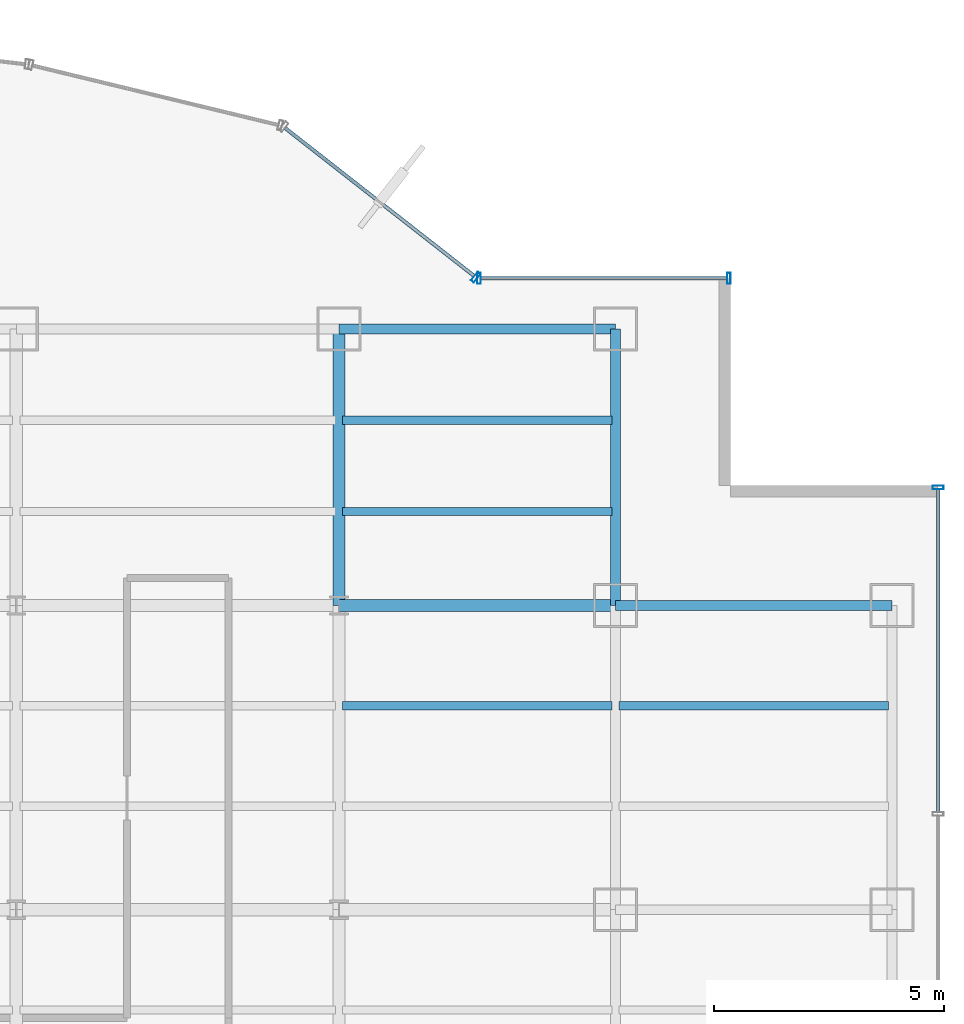
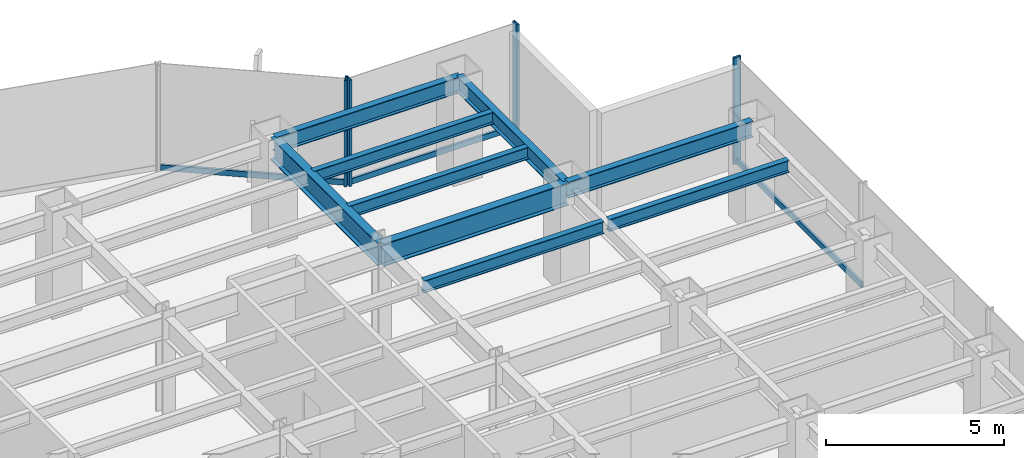
# One storey, part 16 of 23: 9 beams, 7 members, 3 elements without a shape of their own.
"""IFC4 building model written with IfcOpenShell, lengths in metres."""

from ifc_helpers import new_model, si_unit, derived_unit, direction, frame, origin, origin_2d, place, context, subcontext, project, spatial, hollow_rectangle, i_section, extrude, source, transform, mapped, material, material_profile, profile_set, type_object, element, aggregate, save


model = new_model("IFC4")

# Units and contexts
model_context = context("Model", 3, precision=1e-05, world=origin(), true_north=direction((0.0, 1.0)))
body_context = subcontext(model_context, "Body", "Model", "MODEL_VIEW")
ifc_project = project(units=[si_unit("LENGTHUNIT", "METRE"), si_unit("AREAUNIT", "SQUARE_METRE"), si_unit("VOLUMEUNIT", "CUBIC_METRE"), si_unit("PLANEANGLEUNIT", "RADIAN"), si_unit("MASSUNIT", "GRAM", prefix="KILO"), derived_unit("THERMALTRANSMITTANCEUNIT", [(si_unit("POWERUNIT", "WATT"), 1), (si_unit("LENGTHUNIT", "METRE"), -2), (si_unit("THERMODYNAMICTEMPERATUREUNIT", "KELVIN"), -1)])], contexts=[model_context])

# Site, building, storey
site_placement = place(None, origin())
site = spatial("IfcSite", under=ifc_project, at=site_placement, CompositionType="ELEMENT")
building_placement = place(site_placement, origin())
building = spatial("IfcBuilding", under=site, at=building_placement, Name="Skarnbrae Concourse Arena and Tower", CompositionType="ELEMENT")
storey_placement = place(building_placement, frame((0.0, 0.0, 50.75)))
storey = spatial("IfcBuildingStorey", under=building, at=storey_placement, Name="L11", CompositionType="ELEMENT", Elevation=50.75)

# Beams
ifc_material_1 = material(Name="Steel CSA G40.21 350W", Category="steel")
ifc_material_profile_1 = material_profile(ifc_material_1, i_section(OverallWidth=0.214111328125, OverallDepth=0.549072265625, WebThickness=0.0146484375, FlangeThickness=0.023681640625, at=origin_2d()), Name="W530X138")
ifc_profile_set_1 = profile_set([ifc_material_profile_1], Name="Steel CSA G40.21 350W")
beam_type_1 = type_object("IfcBeamType", Name="BM-SPAN-W530X138", PredefinedType="SPANDREL", material=ifc_profile_set_1)
shared_shape_1 = source(origin(), body_context, "Body", "SweptSolid", [
    extrude(i_section(OverallWidth=0.214111328125, OverallDepth=0.549072265625, WebThickness=0.0146484375, FlangeThickness=0.023681640625, at=origin_2d()), origin(), (0.0, 0.0, 1.0), 6.0),
])
for number, where, z_axis, x_axis, name in (
    (1, (55.0, 34.39990234375, 3.12548828125), (1.0, 0.0, 0.0), (0.0, 1.0, 0.0), "L11 Perimeter spandrel Y34.4-9"),
    (2, (49.0, 40.39990234375, 3.12548828125), (1.0, 0.0, 0.0), (0.0, 1.0, 0.0), "L11 Perimeter spandrel Y40.4-7"),
    (3, (55.0, 34.39990234375, 3.12548828125), (0.0, 1.0, 0.0), (-1.0, 0.0, 0.0), "L11 Perimeter spandrel X55.0-5"),
):
    element("IfcBeam", number, at=place(storey_placement, frame(where, z_axis=z_axis, x_axis=x_axis)), inside=storey, type_object=beam_type_1, Name=name, PredefinedType="SPANDREL", context=body_context, shape_type="MappedRepresentation", body=[
        mapped(shared_shape_1, transform((0.0, 0.0, 0.0))),
    ])
ifc_material_profile_2 = material_profile(ifc_material_1, i_section(OverallWidth=0.26806640625, OverallDepth=0.77001953125, WebThickness=0.015625, FlangeThickness=0.025390625, at=origin_2d()), Name="W760X196")
ifc_profile_set_2 = profile_set([ifc_material_profile_2], Name="Steel CSA G40.21 350W")
beam_type_2 = type_object("IfcBeamType", Name="BM-GIRD-W760X196", PredefinedType="BEAM", material=ifc_profile_set_2)
shared_shape_2 = source(origin(), body_context, "Body", "SweptSolid", [
    extrude(i_section(OverallWidth=0.26806640625, OverallDepth=0.77001953125, WebThickness=0.015625, FlangeThickness=0.025390625, at=origin_2d()), origin(), (0.0, 0.0, 1.0), 6.0),
])
for number, where, z_axis, x_axis, name in (
    (4, (49.0, 34.39990234375, 3.014892578125), (1.0, 0.0, 0.0), (0.0, 1.0, 0.0), "L11 Primary E-W girder Y34.4-8"),
    (5, (49.0, 34.39990234375, 3.014892578125), (0.0, 1.0, 0.0), (-1.0, 0.0, 0.0), "L11 Primary N-S girder X49.0-5"),
):
    element("IfcBeam", number, at=place(storey_placement, frame(where, z_axis=z_axis, x_axis=x_axis)), inside=storey, type_object=beam_type_2, Name=name, PredefinedType="BEAM", context=body_context, shape_type="MappedRepresentation", body=[
        mapped(shared_shape_2, transform((0.0, 0.0, 0.0))),
    ])
ifc_material_profile_3 = material_profile(ifc_material_1, i_section(OverallWidth=0.180908203125, OverallDepth=0.4169921875, WebThickness=0.010986328125, FlangeThickness=0.018310546875, at=origin_2d()), Name="W410X85")
ifc_profile_set_3 = profile_set([ifc_material_profile_3], Name="Steel CSA G40.21 350W")
beam_type_3 = type_object("IfcBeamType", Name="BM-JOIST-W410X85", PredefinedType="JOIST", material=ifc_profile_set_3)
shared_shape_3 = source(origin(), body_context, "Body", "SweptSolid", [
    extrude(i_section(OverallWidth=0.180908203125, OverallDepth=0.4169921875, WebThickness=0.010986328125, FlangeThickness=0.018310546875, at=origin_2d()), origin(), (0.0, 0.0, 1.0), 5.83984375),
])
for number, where, z_axis, x_axis, name in (
    (6, (49.080078125, 32.221923828125, 3.19140625), (1.0, 0.0, 0.0), (0.0, 1.0, 0.0), "L11 Secondary floor joist 3.2.8"),
    (7, (55.080078125, 32.221923828125, 3.19140625), (1.0, 0.0, 0.0), (0.0, 1.0, 0.0), "L11 Secondary floor joist 3.2.9"),
    (8, (49.080078125, 36.43994140625, 3.19140625), (1.0, 0.0, 0.0), (0.0, 1.0, 0.0), "L11 Secondary floor joist 4.1.7"),
    (9, (49.080078125, 38.419921875, 3.19140625), (1.0, 0.0, 0.0), (0.0, 1.0, 0.0), "L11 Secondary floor joist 4.2.7"),
):
    element("IfcBeam", number, at=place(storey_placement, frame(where, z_axis=z_axis, x_axis=x_axis)), inside=storey, type_object=beam_type_3, Name=name, PredefinedType="JOIST", context=body_context, shape_type="MappedRepresentation", body=[
        mapped(shared_shape_3, transform((0.0, 0.0, 0.0))),
    ])

# Curtain wall, member
ifc_material_2 = material(Name="Bronze anodised aluminium 6063-T6", Category="aluminium")
curtain_wall_type = type_object("IfcCurtainWallType", Name="CW-SYS-02-LOWZONE", PredefinedType="USERDEFINED", material=ifc_material_2)
curtain_wall_1_placement = place(storey_placement, origin())
curtain_wall_1 = element("IfcCurtainWall", 10, at=curtain_wall_1_placement, inside=storey, type_object=curtain_wall_type, Name="L11 Unitised curtain wall CW-L11-E04", ObjectType="UNITISED CURTAIN WALL", PredefinedType="USERDEFINED")
ifc_material_profile_4 = material_profile(ifc_material_2, hollow_rectangle(XDim=0.080078125, YDim=0.239990234375, WallThickness=0.0048828125, at=origin_2d()), Name="ALU-MULL-80X240")
ifc_profile_set_4 = profile_set([ifc_material_profile_4], Name="Bronze anodised aluminium 6063-T6")
member_type_1 = type_object("IfcMemberType", Name="CWM-CW-02", PredefinedType="MULLION", material=ifc_profile_set_4)
shared_shape_4 = source(origin(), body_context, "Body", "SweptSolid", [
    extrude(hollow_rectangle(XDim=0.080078125, YDim=0.239990234375, WallThickness=0.0048828125, at=origin_2d()), origin(), (0.0, 0.0, 1.0), 3.64990234375),
])
member_1_placement = place(storey_placement, frame((62.0, 36.9599609375, 0.0), z_axis=(0.0, 0.0, 1.0), x_axis=(0.0, 1.0, 0.0)))
member_1 = element("IfcMember", 11, at=member_1_placement, type_object=member_type_1, Name="CW-L11-E04 Mullion 5", PredefinedType="MULLION", context=body_context, shape_type="MappedRepresentation", body=[
    mapped(shared_shape_4, transform((0.0, 0.0, 0.0))),
])

# Curtain wall, members
curtain_wall_2_placement = place(storey_placement, origin())
curtain_wall_2 = element("IfcCurtainWall", 12, at=curtain_wall_2_placement, inside=storey, type_object=curtain_wall_type, Name="L11 Unitised curtain wall CW-L11-E07", ObjectType="UNITISED CURTAIN WALL", PredefinedType="USERDEFINED")
member_2_placement = place(storey_placement, frame((57.4599609375, 41.5, 0.0), z_axis=(0.0, 0.0, 1.0), x_axis=(-1.0, 0.0, 0.0)))
member_2 = element("IfcMember", 13, at=member_2_placement, type_object=member_type_1, Name="CW-L11-E07 Mullion 1", PredefinedType="MULLION", context=body_context, shape_type="MappedRepresentation", body=[
    mapped(shared_shape_4, transform((0.0, 0.0, 0.0))),
])
member_3_placement = place(storey_placement, frame((52.0400390625, 41.5, 0.0), z_axis=(0.0, 0.0, 1.0), x_axis=(-1.0, 0.0, 0.0)))
member_3 = element("IfcMember", 14, at=member_3_placement, type_object=member_type_1, Name="CW-L11-E07 Mullion 2", PredefinedType="MULLION", context=body_context, shape_type="MappedRepresentation", body=[
    mapped(shared_shape_4, transform((0.0, 0.0, 0.0))),
])

# Curtain wall, member
curtain_wall_3_placement = place(storey_placement, origin())
curtain_wall_3 = element("IfcCurtainWall", 15, at=curtain_wall_3_placement, inside=storey, type_object=curtain_wall_type, Name="L11 Unitised curtain wall CW-L11-E08", ObjectType="UNITISED CURTAIN WALL", PredefinedType="USERDEFINED")
member_4_placement = place(storey_placement, frame((51.968505859375, 41.524658203125, 0.0), z_axis=(0.0, 0.0, 1.0), x_axis=(-0.787651726054, 0.616120733658, 0.0)))
member_4 = element("IfcMember", 16, at=member_4_placement, type_object=member_type_1, Name="CW-L11-E08 Mullion 1", PredefinedType="MULLION", context=body_context, shape_type="MappedRepresentation", body=[
    mapped(shared_shape_4, transform((0.0, 0.0, 0.0))),
])

# Member
ifc_material_profile_5 = material_profile(ifc_material_2, hollow_rectangle(XDim=0.080078125, YDim=0.18994140625, WallThickness=0.0048828125, at=origin_2d()), Name="ALU-TRAN-80X190")
ifc_profile_set_5 = profile_set([ifc_material_profile_5], Name="Bronze anodised aluminium 6063-T6")
member_type_2 = type_object("IfcMemberType", Name="CWT-CW-02", PredefinedType="USERDEFINED", material=ifc_profile_set_5)
shared_shape_5 = source(origin(), body_context, "Body", "SweptSolid", [
    extrude(hollow_rectangle(XDim=0.080078125, YDim=0.18994140625, WallThickness=0.0048828125, at=origin_2d()), origin(), (0.0, 0.0, 1.0), 7.0048828125),
])
member_5_placement = place(storey_placement, frame((62.0, 29.9150390625, 0.094970703125), z_axis=(0.0, 1.0, 0.0), x_axis=(-1.0, 0.0, 0.0)))
member_5 = element("IfcMember", 17, at=member_5_placement, type_object=member_type_2, Name="CW-L11-E04 Transom 4", ObjectType="TRANSOM", PredefinedType="USERDEFINED", context=body_context, shape_type="MappedRepresentation", body=[
    mapped(shared_shape_5, transform((0.0, 0.0, 0.0))),
])

aggregate(curtain_wall_1, [member_1, member_5])

shared_shape_6 = source(origin(), body_context, "Body", "SweptSolid", [
    extrude(hollow_rectangle(XDim=0.080078125, YDim=0.18994140625, WallThickness=0.0048828125, at=origin_2d()), origin(), (0.0, 0.0, 1.0), 5.33984375),
])
member_6_placement = place(storey_placement, frame((57.419921875, 41.5, 0.094970703125), z_axis=(-1.0, 0.0, 0.0), x_axis=(0.0, -1.0, 0.0)))
member_6 = element("IfcMember", 18, at=member_6_placement, type_object=member_type_2, Name="CW-L11-E07 Transom 1", ObjectType="TRANSOM", PredefinedType="USERDEFINED", context=body_context, shape_type="MappedRepresentation", body=[
    mapped(shared_shape_6, transform((0.0, 0.0, 0.0))),
])

aggregate(curtain_wall_2, [member_2, member_3, member_6])

shared_shape_7 = source(origin(), body_context, "Body", "SweptSolid", [
    extrude(hollow_rectangle(XDim=0.080078125, YDim=0.18994140625, WallThickness=0.0048828125, at=origin_2d()), origin(), (0.0, 0.0, 1.0), 5.215087890625),
])
member_7_placement = place(storey_placement, frame((51.93701171875, 41.54931640625, 0.094970703125), z_axis=(-0.787650196702, 0.616122688784, 0.0), x_axis=(-0.616122688784, -0.787650196702, 0.0)))
member_7 = element("IfcMember", 19, at=member_7_placement, type_object=member_type_2, Name="CW-L11-E08 Transom 1", ObjectType="TRANSOM", PredefinedType="USERDEFINED", context=body_context, shape_type="MappedRepresentation", body=[
    mapped(shared_shape_7, transform((0.0, 0.0, 0.0))),
])

aggregate(curtain_wall_3, [member_4, member_7])

save(model, "model.ifc")
